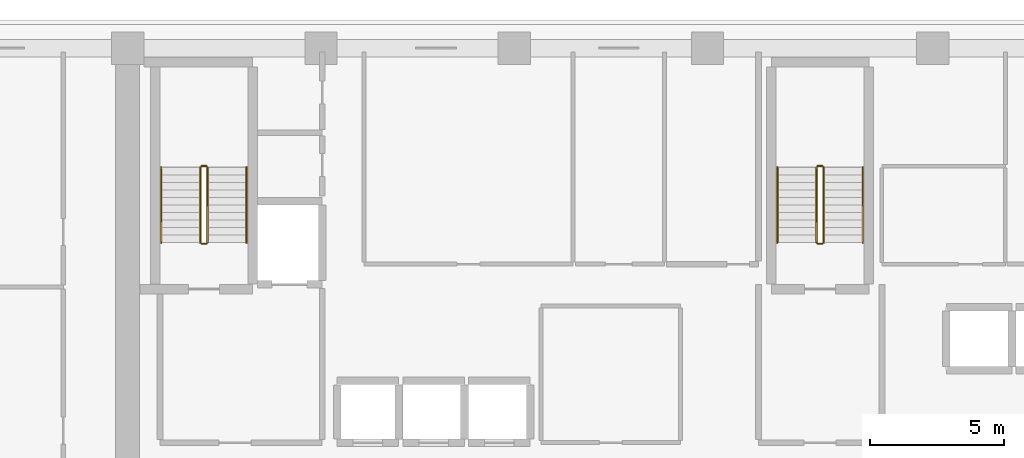
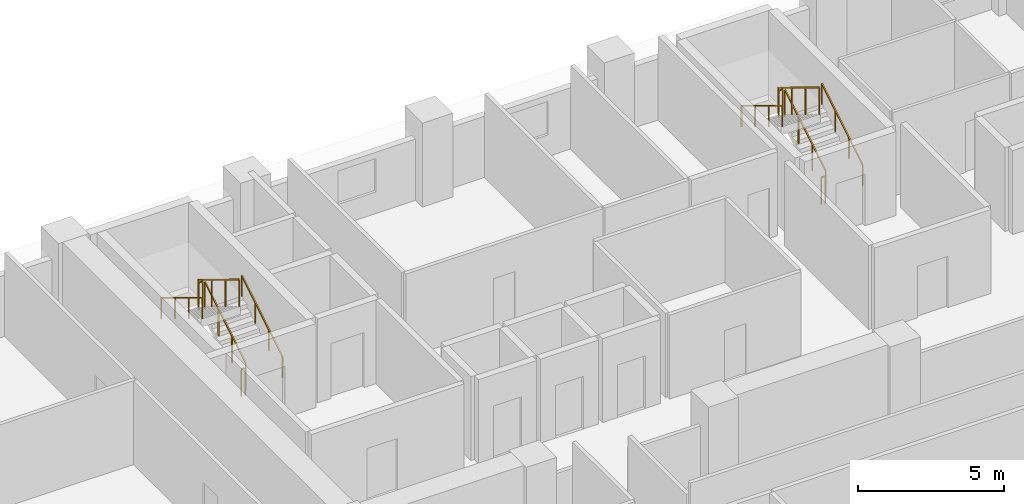
# One storey, part 13 of 15: 12 railings.
"""IFC4 building model written with IfcOpenShell, lengths in metres."""

from ifc_helpers import new_model, si_unit, direction, frame, origin, origin_2d, place, context, subcontext, project, spatial, rectangle, extrude, material, type_object, element, save


model = new_model("IFC4")

# Units and contexts
model_context = context("Model", 3, precision=1e-05, world=origin(), true_north=direction((0.0, 1.0)))
body_context = subcontext(model_context, "Body", "Model", "MODEL_VIEW")
ifc_project = project(units=[si_unit("LENGTHUNIT", "METRE"), si_unit("AREAUNIT", "SQUARE_METRE"), si_unit("VOLUMEUNIT", "CUBIC_METRE"), si_unit("PLANEANGLEUNIT", "RADIAN"), si_unit("MASSUNIT", "GRAM", prefix="KILO")], contexts=[model_context])

# Site, building, storey
site_placement = place(None, origin())
site = spatial("IfcSite", under=ifc_project, at=site_placement, CompositionType="ELEMENT")
building_placement = place(site_placement, origin())
building = spatial("IfcBuilding", under=site, at=building_placement, Name="Kaelvorn Grand Hotel", CompositionType="ELEMENT")
storey_placement = place(building_placement, frame((0.0, 0.0, 108.050048828125)))
storey = spatial("IfcBuildingStorey", under=building, at=storey_placement, Name="L25", CompositionType="ELEMENT", Elevation=108.050048828125)

# Railings
ifc_material = material(Name="Stainless Steel", Category="steel")
railing_type_1 = type_object("IfcRailingType", Name="RL-HANDRAIL-900", PredefinedType="HANDRAIL", material=ifc_material)
railing_1_placement = place(storey_placement, frame((20.6298828125, 41.760009765625, 0.17041015625)))
element("IfcRailing", 1, at=railing_1_placement, inside=storey, type_object=railing_type_1, Name="L25 ST1 stair handrail 1", PredefinedType="HANDRAIL", context=body_context, shape_type="SweptSolid", body=[
    extrude(rectangle(XDim=0.048095703125, YDim=0.048095703125, at=origin_2d()), frame((0.0, 0.0, 0.8759765625), z_axis=(0.0, 0.854169791009, 0.51999420009), x_axis=(-1.0, 0.0, 0.0)), (0.0, 0.0, 1.0), 3.278076171875),
    extrude(rectangle(XDim=0.0419921875, YDim=0.0419921875, at=origin_2d()), origin(), (0.0, 0.0, 1.0), 0.851806640625),
    extrude(rectangle(XDim=0.0419921875, YDim=0.0419921875, at=origin_2d()), frame((0.0, 0.933349609375, 0.568115234375)), (0.0, 0.0, 1.0), 0.851806640625),
    extrude(rectangle(XDim=0.0419921875, YDim=0.0419921875, at=origin_2d()), frame((0.0, 1.86669921875, 1.136474609375)), (0.0, 0.0, 1.0), 0.851806640625),
    extrude(rectangle(XDim=0.0419921875, YDim=0.0419921875, at=origin_2d()), frame((0.0, 2.800048828125, 1.70458984375)), (0.0, 0.0, 1.0), 0.851806640625),
])
railing_2_placement = place(storey_placement, frame((17.449951171875, 44.56005859375, 2.04541015625)))
element("IfcRailing", 2, at=railing_2_placement, inside=storey, type_object=railing_type_1, Name="L25 ST1 stair handrail 2", PredefinedType="HANDRAIL", context=body_context, shape_type="SweptSolid", body=[
    extrude(rectangle(XDim=0.048095703125, YDim=0.048095703125, at=origin_2d()), frame((0.0, 0.0, 0.8759765625), z_axis=(0.0, -0.854169791009, 0.51999420009), x_axis=(1.0, 0.0, 0.0)), (0.0, 0.0, 1.0), 3.278076171875),
    extrude(rectangle(XDim=0.0419921875, YDim=0.0419921875, at=origin_2d()), origin(), (0.0, 0.0, 1.0), 0.851806640625),
    extrude(rectangle(XDim=0.0419921875, YDim=0.0419921875, at=origin_2d()), frame((0.0, -0.933349609375, 0.568115234375)), (0.0, 0.0, 1.0), 0.851806640625),
    extrude(rectangle(XDim=0.0419921875, YDim=0.0419921875, at=origin_2d()), frame((0.0, -1.86669921875, 1.136474609375)), (0.0, 0.0, 1.0), 0.851806640625),
    extrude(rectangle(XDim=0.0419921875, YDim=0.0419921875, at=origin_2d()), frame((0.0, -2.800048828125, 1.70458984375)), (0.0, 0.0, 1.0), 0.851806640625),
])
railing_3_placement = place(storey_placement, frame((43.590087890625, 41.760009765625, 0.17041015625)))
element("IfcRailing", 3, at=railing_3_placement, inside=storey, type_object=railing_type_1, Name="L25 ST2 stair handrail 1", PredefinedType="HANDRAIL", context=body_context, shape_type="SweptSolid", body=[
    extrude(rectangle(XDim=0.048095703125, YDim=0.048095703125, at=origin_2d()), frame((0.0, 0.0, 0.8759765625), z_axis=(0.0, 0.854169791009, 0.51999420009), x_axis=(-1.0, 0.0, 0.0)), (0.0, 0.0, 1.0), 3.278076171875),
    extrude(rectangle(XDim=0.0419921875, YDim=0.0419921875, at=origin_2d()), origin(), (0.0, 0.0, 1.0), 0.851806640625),
    extrude(rectangle(XDim=0.0419921875, YDim=0.0419921875, at=origin_2d()), frame((0.0, 0.933349609375, 0.568115234375)), (0.0, 0.0, 1.0), 0.851806640625),
    extrude(rectangle(XDim=0.0419921875, YDim=0.0419921875, at=origin_2d()), frame((0.0, 1.86669921875, 1.136474609375)), (0.0, 0.0, 1.0), 0.851806640625),
    extrude(rectangle(XDim=0.0419921875, YDim=0.0419921875, at=origin_2d()), frame((0.0, 2.800048828125, 1.70458984375)), (0.0, 0.0, 1.0), 0.851806640625),
])
railing_4_placement = place(storey_placement, frame((40.409912109375, 44.56005859375, 2.04541015625)))
element("IfcRailing", 4, at=railing_4_placement, inside=storey, type_object=railing_type_1, Name="L25 ST2 stair handrail 2", PredefinedType="HANDRAIL", context=body_context, shape_type="SweptSolid", body=[
    extrude(rectangle(XDim=0.048095703125, YDim=0.048095703125, at=origin_2d()), frame((0.0, 0.0, 0.8759765625), z_axis=(0.0, -0.854169791009, 0.51999420009), x_axis=(1.0, 0.0, 0.0)), (0.0, 0.0, 1.0), 3.278076171875),
    extrude(rectangle(XDim=0.0419921875, YDim=0.0419921875, at=origin_2d()), origin(), (0.0, 0.0, 1.0), 0.851806640625),
    extrude(rectangle(XDim=0.0419921875, YDim=0.0419921875, at=origin_2d()), frame((0.0, -0.933349609375, 0.568115234375)), (0.0, 0.0, 1.0), 0.851806640625),
    extrude(rectangle(XDim=0.0419921875, YDim=0.0419921875, at=origin_2d()), frame((0.0, -1.86669921875, 1.136474609375)), (0.0, 0.0, 1.0), 0.851806640625),
    extrude(rectangle(XDim=0.0419921875, YDim=0.0419921875, at=origin_2d()), frame((0.0, -2.800048828125, 1.70458984375)), (0.0, 0.0, 1.0), 0.851806640625),
])
railing_type_2 = type_object("IfcRailingType", Name="RL-STAIR-GUARD-1150", PredefinedType="BALUSTRADE", material=ifc_material)
railing_5_placement = place(storey_placement, frame((19.169921875, 41.760009765625, 0.17041015625)))
element("IfcRailing", 5, at=railing_5_placement, inside=storey, type_object=railing_type_2, Name="L25 ST1 stair guard 1", PredefinedType="BALUSTRADE", context=body_context, shape_type="SweptSolid", body=[
    extrude(rectangle(XDim=0.048095703125, YDim=0.048095703125, at=origin_2d()), frame((0.0, 0.0, 1.1259765625), z_axis=(0.0, 0.854169791009, 0.51999420009), x_axis=(-1.0, 0.0, 0.0)), (0.0, 0.0, 1.0), 3.278076171875),
    extrude(rectangle(XDim=0.0419921875, YDim=0.0419921875, at=origin_2d()), origin(), (0.0, 0.0, 1.0), 1.101806640625),
    extrude(rectangle(XDim=0.0419921875, YDim=0.0419921875, at=origin_2d()), frame((0.0, 0.933349609375, 0.568115234375)), (0.0, 0.0, 1.0), 1.101806640625),
    extrude(rectangle(XDim=0.0419921875, YDim=0.0419921875, at=origin_2d()), frame((0.0, 1.86669921875, 1.136474609375)), (0.0, 0.0, 1.0), 1.101806640625),
    extrude(rectangle(XDim=0.0419921875, YDim=0.0419921875, at=origin_2d()), frame((0.0, 2.800048828125, 1.70458984375)), (0.0, 0.0, 1.0), 1.101806640625),
])
railing_6_placement = place(storey_placement, frame((19.1201171875, 44.610107421875, 1.875)))
element("IfcRailing", 6, at=railing_6_placement, inside=storey, type_object=railing_type_2, Name="L25 ST1 stair guard 2", PredefinedType="BALUSTRADE", context=body_context, shape_type="SweptSolid", body=[
    extrude(rectangle(XDim=0.048095703125, YDim=0.048095703125, at=origin_2d()), frame((0.0, 0.0, 1.1259765625), z_axis=(-1.0, 0.0, 0.0), x_axis=(0.0, -1.0, 0.0)), (0.0, 0.0, 1.0), 0.16015625),
    extrude(rectangle(XDim=0.0419921875, YDim=0.0419921875, at=origin_2d()), origin(), (0.0, 0.0, 1.0), 1.101806640625),
    extrude(rectangle(XDim=0.0419921875, YDim=0.0419921875, at=origin_2d()), frame((-0.16015625, 0.0, 0.0)), (0.0, 0.0, 1.0), 1.101806640625),
])
railing_7_placement = place(storey_placement, frame((18.909912109375, 44.56005859375, 2.04541015625)))
element("IfcRailing", 7, at=railing_7_placement, inside=storey, type_object=railing_type_2, Name="L25 ST1 stair guard 3", PredefinedType="BALUSTRADE", context=body_context, shape_type="SweptSolid", body=[
    extrude(rectangle(XDim=0.048095703125, YDim=0.048095703125, at=origin_2d()), frame((0.0, 0.0, 1.1259765625), z_axis=(0.0, -0.854169791009, 0.51999420009), x_axis=(1.0, 0.0, 0.0)), (0.0, 0.0, 1.0), 3.278076171875),
    extrude(rectangle(XDim=0.0419921875, YDim=0.0419921875, at=origin_2d()), origin(), (0.0, 0.0, 1.0), 1.101806640625),
    extrude(rectangle(XDim=0.0419921875, YDim=0.0419921875, at=origin_2d()), frame((0.0, -0.933349609375, 0.568115234375)), (0.0, 0.0, 1.0), 1.101806640625),
    extrude(rectangle(XDim=0.0419921875, YDim=0.0419921875, at=origin_2d()), frame((0.0, -1.86669921875, 1.136474609375)), (0.0, 0.0, 1.0), 1.101806640625),
    extrude(rectangle(XDim=0.0419921875, YDim=0.0419921875, at=origin_2d()), frame((0.0, -2.800048828125, 1.70458984375)), (0.0, 0.0, 1.0), 1.101806640625),
])
railing_8_placement = place(storey_placement, frame((19.1201171875, 41.7099609375, 0.0)))
element("IfcRailing", 8, at=railing_8_placement, inside=storey, type_object=railing_type_2, Name="L25 ST1 stair guard 4", PredefinedType="BALUSTRADE", context=body_context, shape_type="SweptSolid", body=[
    extrude(rectangle(XDim=0.048095703125, YDim=0.048095703125, at=origin_2d()), frame((0.0, 0.0, 1.1259765625), z_axis=(-1.0, 0.0, 0.0), x_axis=(0.0, -1.0, 0.0)), (0.0, 0.0, 1.0), 0.16015625),
    extrude(rectangle(XDim=0.0419921875, YDim=0.0419921875, at=origin_2d()), origin(), (0.0, 0.0, 1.0), 1.101806640625),
    extrude(rectangle(XDim=0.0419921875, YDim=0.0419921875, at=origin_2d()), frame((-0.16015625, 0.0, 0.0)), (0.0, 0.0, 1.0), 1.101806640625),
])
railing_9_placement = place(storey_placement, frame((42.1298828125, 41.760009765625, 0.17041015625)))
element("IfcRailing", 9, at=railing_9_placement, inside=storey, type_object=railing_type_2, Name="L25 ST2 stair guard 1", PredefinedType="BALUSTRADE", context=body_context, shape_type="SweptSolid", body=[
    extrude(rectangle(XDim=0.048095703125, YDim=0.048095703125, at=origin_2d()), frame((0.0, 0.0, 1.1259765625), z_axis=(0.0, 0.854169791009, 0.51999420009), x_axis=(-1.0, 0.0, 0.0)), (0.0, 0.0, 1.0), 3.278076171875),
    extrude(rectangle(XDim=0.0419921875, YDim=0.0419921875, at=origin_2d()), origin(), (0.0, 0.0, 1.0), 1.101806640625),
    extrude(rectangle(XDim=0.0419921875, YDim=0.0419921875, at=origin_2d()), frame((0.0, 0.933349609375, 0.568115234375)), (0.0, 0.0, 1.0), 1.101806640625),
    extrude(rectangle(XDim=0.0419921875, YDim=0.0419921875, at=origin_2d()), frame((0.0, 1.86669921875, 1.136474609375)), (0.0, 0.0, 1.0), 1.101806640625),
    extrude(rectangle(XDim=0.0419921875, YDim=0.0419921875, at=origin_2d()), frame((0.0, 2.800048828125, 1.70458984375)), (0.0, 0.0, 1.0), 1.101806640625),
])
railing_10_placement = place(storey_placement, frame((42.080078125, 44.610107421875, 1.875)))
element("IfcRailing", 10, at=railing_10_placement, inside=storey, type_object=railing_type_2, Name="L25 ST2 stair guard 2", PredefinedType="BALUSTRADE", context=body_context, shape_type="SweptSolid", body=[
    extrude(rectangle(XDim=0.048095703125, YDim=0.048095703125, at=origin_2d()), frame((0.0, 0.0, 1.1259765625), z_axis=(-1.0, 0.0, 0.0), x_axis=(0.0, -1.0, 0.0)), (0.0, 0.0, 1.0), 0.16015625),
    extrude(rectangle(XDim=0.0419921875, YDim=0.0419921875, at=origin_2d()), origin(), (0.0, 0.0, 1.0), 1.101806640625),
    extrude(rectangle(XDim=0.0419921875, YDim=0.0419921875, at=origin_2d()), frame((-0.16015625, 0.0, 0.0)), (0.0, 0.0, 1.0), 1.101806640625),
])
railing_11_placement = place(storey_placement, frame((41.8701171875, 44.56005859375, 2.04541015625)))
element("IfcRailing", 11, at=railing_11_placement, inside=storey, type_object=railing_type_2, Name="L25 ST2 stair guard 3", PredefinedType="BALUSTRADE", context=body_context, shape_type="SweptSolid", body=[
    extrude(rectangle(XDim=0.048095703125, YDim=0.048095703125, at=origin_2d()), frame((0.0, 0.0, 1.1259765625), z_axis=(0.0, -0.854169791009, 0.51999420009), x_axis=(1.0, 0.0, 0.0)), (0.0, 0.0, 1.0), 3.278076171875),
    extrude(rectangle(XDim=0.0419921875, YDim=0.0419921875, at=origin_2d()), origin(), (0.0, 0.0, 1.0), 1.101806640625),
    extrude(rectangle(XDim=0.0419921875, YDim=0.0419921875, at=origin_2d()), frame((0.0, -0.933349609375, 0.568115234375)), (0.0, 0.0, 1.0), 1.101806640625),
    extrude(rectangle(XDim=0.0419921875, YDim=0.0419921875, at=origin_2d()), frame((0.0, -1.86669921875, 1.136474609375)), (0.0, 0.0, 1.0), 1.101806640625),
    extrude(rectangle(XDim=0.0419921875, YDim=0.0419921875, at=origin_2d()), frame((0.0, -2.800048828125, 1.70458984375)), (0.0, 0.0, 1.0), 1.101806640625),
])
railing_12_placement = place(storey_placement, frame((42.080078125, 41.7099609375, 0.0)))
element("IfcRailing", 12, at=railing_12_placement, inside=storey, type_object=railing_type_2, Name="L25 ST2 stair guard 4", PredefinedType="BALUSTRADE", context=body_context, shape_type="SweptSolid", body=[
    extrude(rectangle(XDim=0.048095703125, YDim=0.048095703125, at=origin_2d()), frame((0.0, 0.0, 1.1259765625), z_axis=(-1.0, 0.0, 0.0), x_axis=(0.0, -1.0, 0.0)), (0.0, 0.0, 1.0), 0.16015625),
    extrude(rectangle(XDim=0.0419921875, YDim=0.0419921875, at=origin_2d()), origin(), (0.0, 0.0, 1.0), 1.101806640625),
    extrude(rectangle(XDim=0.0419921875, YDim=0.0419921875, at=origin_2d()), frame((-0.16015625, 0.0, 0.0)), (0.0, 0.0, 1.0), 1.101806640625),
])

save(model, "model.ifc")
